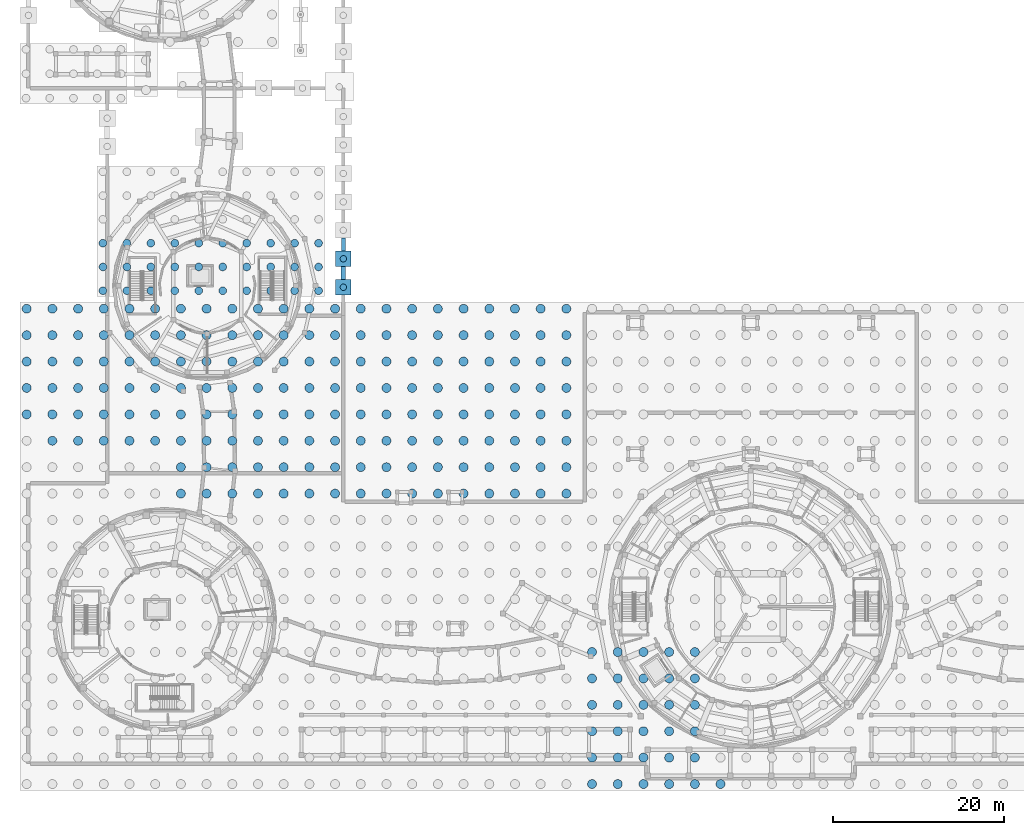
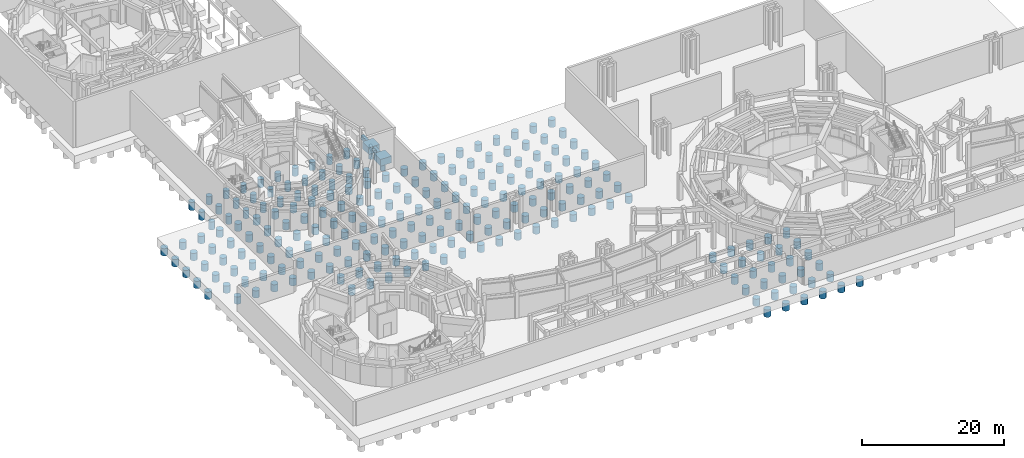
# One storey, part 2 of 57: 226 piles, 4 footings.
"""IFC4 building model written with IfcOpenShell, lengths in metres."""

from ifc_helpers import new_model, si_unit, direction, frame, origin, origin_2d, place, context, subcontext, project, spatial, rectangle, circle, extrude, material, material_profile, profile_set, type_object, element, save


model = new_model("IFC4")

# Units and contexts
model_context = context("Model", 3, precision=1e-05, world=origin(), true_north=direction((0.0, 1.0)))
body_context = subcontext(model_context, "Body", "Model", "MODEL_VIEW")
ifc_project = project(units=[si_unit("LENGTHUNIT", "METRE"), si_unit("AREAUNIT", "SQUARE_METRE"), si_unit("VOLUMEUNIT", "CUBIC_METRE"), si_unit("PLANEANGLEUNIT", "RADIAN"), si_unit("MASSUNIT", "GRAM", prefix="KILO")], contexts=[model_context])

# Site, building, storey
site_placement = place(None, origin())
site = spatial("IfcSite", under=ifc_project, at=site_placement, CompositionType="ELEMENT")
building_placement = place(site_placement, origin())
building = spatial("IfcBuilding", under=site, at=building_placement, Name="Aldenvaro Health Centre", CompositionType="ELEMENT")
storey_placement = place(building_placement, frame((0.0, 0.0, -4.550048828125)))
storey = spatial("IfcBuildingStorey", under=building, at=storey_placement, Name="B1", CompositionType="ELEMENT", Elevation=-4.550048828125)

# Footings
ifc_material = material(Name="Concrete f'c 40 MPa", Category="concrete")
ifc_material_profile_1 = material_profile(ifc_material, rectangle(XDim=0.449951171875, YDim=0.699951171875, at=origin_2d()), Name="GB 450x700", Category="concrete")
ifc_profile_set_1 = profile_set([ifc_material_profile_1], Name="Concrete f'c 40 MPa")
footing_type_1 = type_object("IfcFootingType", Name="FTG-GB-450x700", PredefinedType="FOOTING_BEAM", material=ifc_profile_set_1)
footing_1_placement = place(storey_placement, frame((39.39990234375, 61.550048828125, -0.39990234375), z_axis=(0.0, 1.0, 0.0), x_axis=(-1.0, 0.0, 0.0)))
element("IfcFooting", 1, at=footing_1_placement, inside=storey, type_object=footing_type_1, Name="Foundation Tie Beam GB-09", PredefinedType="FOOTING_BEAM", context=body_context, shape_type="SweptSolid", body=[
    extrude(rectangle(XDim=0.449951171875, YDim=0.699951171875, at=origin_2d()), origin(), (0.0, 0.0, 1.0), 1.52490234375),
])
ifc_material_profile_2 = material_profile(ifc_material, rectangle(XDim=0.5, YDim=0.75, at=origin_2d()), Name="GB 500x750", Category="concrete")
ifc_profile_set_2 = profile_set([ifc_material_profile_2], Name="Concrete f'c 40 MPa")
footing_type_2 = type_object("IfcFootingType", Name="FTG-GB-500x750", PredefinedType="FOOTING_BEAM", material=ifc_profile_set_2)
footing_2_placement = place(storey_placement, frame((39.39990234375, 58.22509765625, -0.425048828125), z_axis=(0.0, 1.0, 0.0), x_axis=(-1.0, 0.0, 0.0)))
element("IfcFooting", 2, at=footing_2_placement, inside=storey, type_object=footing_type_2, Name="Foundation Tie Beam GB-08", PredefinedType="FOOTING_BEAM", context=body_context, shape_type="SweptSolid", body=[
    extrude(rectangle(XDim=0.5, YDim=0.75, at=origin_2d()), origin(), (0.0, 0.0, 1.0), 1.52490234375),
])
footing_type_3 = type_object("IfcFootingType", Name="FTG-PC-180x180x115", PredefinedType="PILE_CAP", material=ifc_material)
for number, where, z_axis, x_axis, name in (
    (3, (39.39990234375, 57.324951171875, -1.14990234375), (0.0, 0.0, 1.0), (1.0, 0.0, 0.0), "Pile Cap PC-24 #073"),
    (4, (39.39990234375, 60.64990234375, -1.14990234375), (0.0, 0.0, 1.0), (1.0, 0.0, 0.0), "Pile Cap PC-24 #074"),
):
    element("IfcFooting", number, at=place(storey_placement, frame(where, z_axis=z_axis, x_axis=x_axis)), inside=storey, type_object=footing_type_3, Name=name, PredefinedType="PILE_CAP", context=body_context, shape_type="SweptSolid", body=[
        extrude(rectangle(XDim=1.800048828125, YDim=1.800048828125, at=origin_2d()), origin(), (0.0, 0.0, 1.0), 1.14990234375),
    ])

# Piles
ifc_material_profile_3 = material_profile(ifc_material, circle(Radius=0.52490234375, at=origin_2d()), Name="PILE D1050", Category="concrete")
ifc_profile_set_3 = profile_set([ifc_material_profile_3], Name="Concrete f'c 40 MPa")
pile_type_1 = type_object("IfcPileType", Name="PILE-D1050", PredefinedType="BORED", material=ifc_profile_set_3)
for number, where, z_axis, x_axis, name in (
    (5, (2.39306640625, 42.468994140625, -1.349853515625), (0.0, 0.0, -1.0), (1.0, 0.0, 0.0), "Bored Pile BP-03 #0015"),
    (6, (2.39306640625, 45.554931640625, -1.349853515625), (0.0, 0.0, -1.0), (1.0, 0.0, 0.0), "Bored Pile BP-03 #0016"),
    (7, (2.39306640625, 48.64111328125, -1.349853515625), (0.0, 0.0, -1.0), (1.0, 0.0, 0.0), "Bored Pile BP-03 #0017"),
    (8, (2.39306640625, 51.72705078125, -1.349853515625), (0.0, 0.0, -1.0), (1.0, 0.0, 0.0), "Bored Pile BP-03 #0018"),
    (9, (2.39306640625, 54.81298828125, -1.349853515625), (0.0, 0.0, -1.0), (1.0, 0.0, 0.0), "Bored Pile BP-03 #0019"),
    (10, (5.39599609375, 39.382080078125, -1.349853515625), (0.0, 0.0, -1.0), (1.0, 0.0, 0.0), "Bored Pile BP-03 #0033"),
    (11, (5.39599609375, 42.468994140625, -1.349853515625), (0.0, 0.0, -1.0), (1.0, 0.0, 0.0), "Bored Pile BP-03 #0034"),
    (12, (5.39599609375, 45.554931640625, -1.349853515625), (0.0, 0.0, -1.0), (1.0, 0.0, 0.0), "Bored Pile BP-03 #0035"),
    (13, (5.39599609375, 48.64111328125, -1.349853515625), (0.0, 0.0, -1.0), (1.0, 0.0, 0.0), "Bored Pile BP-03 #0036"),
    (14, (5.39599609375, 51.72705078125, -1.349853515625), (0.0, 0.0, -1.0), (1.0, 0.0, 0.0), "Bored Pile BP-03 #0037"),
    (15, (5.39599609375, 54.81298828125, -1.349853515625), (0.0, 0.0, -1.0), (1.0, 0.0, 0.0), "Bored Pile BP-03 #0038"),
    (16, (8.39990234375, 39.382080078125, -1.349853515625), (0.0, 0.0, -1.0), (1.0, 0.0, 0.0), "Bored Pile BP-03 #0052"),
    (17, (8.39990234375, 42.468994140625, -1.349853515625), (0.0, 0.0, -1.0), (1.0, 0.0, 0.0), "Bored Pile BP-03 #0053"),
    (18, (8.39990234375, 45.554931640625, -1.349853515625), (0.0, 0.0, -1.0), (1.0, 0.0, 0.0), "Bored Pile BP-03 #0054"),
    (19, (8.39990234375, 48.64111328125, -1.349853515625), (0.0, 0.0, -1.0), (1.0, 0.0, 0.0), "Bored Pile BP-03 #0055"),
    (20, (8.39990234375, 51.72705078125, -1.349853515625), (0.0, 0.0, -1.0), (1.0, 0.0, 0.0), "Bored Pile BP-03 #0056"),
    (21, (8.39990234375, 54.81298828125, -1.349853515625), (0.0, 0.0, -1.0), (1.0, 0.0, 0.0), "Bored Pile BP-03 #0057"),
    (22, (11.403076171875, 39.382080078125, -1.349853515625), (0.0, 0.0, -1.0), (1.0, 0.0, 0.0), "Bored Pile BP-03 #0071"),
    (23, (11.403076171875, 42.468994140625, -1.349853515625), (0.0, 0.0, -1.0), (1.0, 0.0, 0.0), "Bored Pile BP-03 #0072"),
    (24, (11.403076171875, 45.554931640625, -1.349853515625), (0.0, 0.0, -1.0), (1.0, 0.0, 0.0), "Bored Pile BP-03 #0073"),
    (25, (11.403076171875, 48.64111328125, -1.349853515625), (0.0, 0.0, -1.0), (1.0, 0.0, 0.0), "Bored Pile BP-03 #0074"),
    (26, (11.403076171875, 51.72705078125, -1.349853515625), (0.0, 0.0, -1.0), (1.0, 0.0, 0.0), "Bored Pile BP-03 #0075"),
    (27, (11.403076171875, 54.81298828125, -1.349853515625), (0.0, 0.0, -1.0), (1.0, 0.0, 0.0), "Bored Pile BP-03 #0076"),
    (28, (14.406982421875, 39.382080078125, -1.349853515625), (0.0, 0.0, -1.0), (1.0, 0.0, 0.0), "Bored Pile BP-03 #0090"),
    (29, (14.406982421875, 42.468994140625, -1.349853515625), (0.0, 0.0, -1.0), (1.0, 0.0, 0.0), "Bored Pile BP-03 #0091"),
    (30, (14.406982421875, 45.554931640625, -1.349853515625), (0.0, 0.0, -1.0), (1.0, 0.0, 0.0), "Bored Pile BP-03 #0092"),
    (31, (14.406982421875, 48.64111328125, -1.349853515625), (0.0, 0.0, -1.0), (1.0, 0.0, 0.0), "Bored Pile BP-03 #0093"),
    (32, (14.406982421875, 51.72705078125, -1.349853515625), (0.0, 0.0, -1.0), (1.0, 0.0, 0.0), "Bored Pile BP-03 #0094"),
    (33, (14.406982421875, 54.81298828125, -1.349853515625), (0.0, 0.0, -1.0), (1.0, 0.0, 0.0), "Bored Pile BP-03 #0095"),
    (34, (17.409912109375, 39.382080078125, -1.349853515625), (0.0, 0.0, -1.0), (1.0, 0.0, 0.0), "Bored Pile BP-03 #0109"),
    (35, (17.409912109375, 42.468994140625, -1.349853515625), (0.0, 0.0, -1.0), (1.0, 0.0, 0.0), "Bored Pile BP-03 #0110"),
    (36, (17.409912109375, 45.554931640625, -1.349853515625), (0.0, 0.0, -1.0), (1.0, 0.0, 0.0), "Bored Pile BP-03 #0111"),
    (37, (17.409912109375, 48.64111328125, -1.349853515625), (0.0, 0.0, -1.0), (1.0, 0.0, 0.0), "Bored Pile BP-03 #0112"),
    (38, (17.409912109375, 51.72705078125, -1.349853515625), (0.0, 0.0, -1.0), (1.0, 0.0, 0.0), "Bored Pile BP-03 #0113"),
    (39, (17.409912109375, 54.81298828125, -1.349853515625), (0.0, 0.0, -1.0), (1.0, 0.0, 0.0), "Bored Pile BP-03 #0114"),
    (40, (20.4140625, 33.2099609375, -1.349853515625), (0.0, 0.0, -1.0), (1.0, 0.0, 0.0), "Bored Pile BP-03 #0126"),
    (41, (20.4140625, 36.2958984375, -1.349853515625), (0.0, 0.0, -1.0), (1.0, 0.0, 0.0), "Bored Pile BP-03 #0127"),
    (42, (20.4140625, 39.382080078125, -1.349853515625), (0.0, 0.0, -1.0), (1.0, 0.0, 0.0), "Bored Pile BP-03 #0128"),
    (43, (20.4140625, 42.468994140625, -1.349853515625), (0.0, 0.0, -1.0), (1.0, 0.0, 0.0), "Bored Pile BP-03 #0129"),
    (44, (20.4140625, 45.554931640625, -1.349853515625), (0.0, 0.0, -1.0), (1.0, 0.0, 0.0), "Bored Pile BP-03 #0130"),
    (45, (20.4140625, 48.64111328125, -1.349853515625), (0.0, 0.0, -1.0), (1.0, 0.0, 0.0), "Bored Pile BP-03 #0131"),
    (46, (20.4140625, 51.72705078125, -1.349853515625), (0.0, 0.0, -1.0), (1.0, 0.0, 0.0), "Bored Pile BP-03 #0132"),
    (47, (20.4140625, 54.81298828125, -1.349853515625), (0.0, 0.0, -1.0), (1.0, 0.0, 0.0), "Bored Pile BP-03 #0133"),
    (48, (23.4169921875, 33.2099609375, -1.349853515625), (0.0, 0.0, -1.0), (1.0, 0.0, 0.0), "Bored Pile BP-03 #0145"),
    (49, (23.4169921875, 36.2958984375, -1.349853515625), (0.0, 0.0, -1.0), (1.0, 0.0, 0.0), "Bored Pile BP-03 #0146"),
    (50, (23.4169921875, 39.382080078125, -1.349853515625), (0.0, 0.0, -1.0), (1.0, 0.0, 0.0), "Bored Pile BP-03 #0147"),
    (51, (23.4169921875, 42.468994140625, -1.349853515625), (0.0, 0.0, -1.0), (1.0, 0.0, 0.0), "Bored Pile BP-03 #0148"),
    (52, (23.4169921875, 45.554931640625, -1.349853515625), (0.0, 0.0, -1.0), (1.0, 0.0, 0.0), "Bored Pile BP-03 #0149"),
    (53, (23.4169921875, 48.64111328125, -1.349853515625), (0.0, 0.0, -1.0), (1.0, 0.0, 0.0), "Bored Pile BP-03 #0150"),
    (54, (23.4169921875, 51.72705078125, -1.349853515625), (0.0, 0.0, -1.0), (1.0, 0.0, 0.0), "Bored Pile BP-03 #0151"),
    (55, (23.4169921875, 54.81298828125, -1.349853515625), (0.0, 0.0, -1.0), (1.0, 0.0, 0.0), "Bored Pile BP-03 #0152"),
    (56, (26.4208984375, 33.2099609375, -1.349853515625), (0.0, 0.0, -1.0), (1.0, 0.0, 0.0), "Bored Pile BP-03 #0164"),
    (57, (26.4208984375, 36.2958984375, -1.349853515625), (0.0, 0.0, -1.0), (1.0, 0.0, 0.0), "Bored Pile BP-03 #0165"),
    (58, (26.4208984375, 39.382080078125, -1.349853515625), (0.0, 0.0, -1.0), (1.0, 0.0, 0.0), "Bored Pile BP-03 #0166"),
    (59, (26.4208984375, 42.468994140625, -1.349853515625), (0.0, 0.0, -1.0), (1.0, 0.0, 0.0), "Bored Pile BP-03 #0167"),
    (60, (26.4208984375, 45.554931640625, -1.349853515625), (0.0, 0.0, -1.0), (1.0, 0.0, 0.0), "Bored Pile BP-03 #0168"),
    (61, (26.4208984375, 48.64111328125, -1.349853515625), (0.0, 0.0, -1.0), (1.0, 0.0, 0.0), "Bored Pile BP-03 #0169"),
    (62, (26.4208984375, 51.72705078125, -1.349853515625), (0.0, 0.0, -1.0), (1.0, 0.0, 0.0), "Bored Pile BP-03 #0170"),
    (63, (26.4208984375, 54.81298828125, -1.349853515625), (0.0, 0.0, -1.0), (1.0, 0.0, 0.0), "Bored Pile BP-03 #0171"),
    (64, (29.424072265625, 33.2099609375, -1.349853515625), (0.0, 0.0, -1.0), (1.0, 0.0, 0.0), "Bored Pile BP-03 #0183"),
    (65, (29.424072265625, 36.2958984375, -1.349853515625), (0.0, 0.0, -1.0), (1.0, 0.0, 0.0), "Bored Pile BP-03 #0184"),
    (66, (29.424072265625, 39.382080078125, -1.349853515625), (0.0, 0.0, -1.0), (1.0, 0.0, 0.0), "Bored Pile BP-03 #0185"),
    (67, (29.424072265625, 42.468994140625, -1.349853515625), (0.0, 0.0, -1.0), (1.0, 0.0, 0.0), "Bored Pile BP-03 #0186"),
    (68, (29.424072265625, 45.554931640625, -1.349853515625), (0.0, 0.0, -1.0), (1.0, 0.0, 0.0), "Bored Pile BP-03 #0187"),
    (69, (29.424072265625, 48.64111328125, -1.349853515625), (0.0, 0.0, -1.0), (1.0, 0.0, 0.0), "Bored Pile BP-03 #0188"),
    (70, (29.424072265625, 51.72705078125, -1.349853515625), (0.0, 0.0, -1.0), (1.0, 0.0, 0.0), "Bored Pile BP-03 #0189"),
    (71, (29.424072265625, 54.81298828125, -1.349853515625), (0.0, 0.0, -1.0), (1.0, 0.0, 0.0), "Bored Pile BP-03 #0190"),
    (72, (32.427978515625, 33.2099609375, -1.349853515625), (0.0, 0.0, -1.0), (1.0, 0.0, 0.0), "Bored Pile BP-03 #0202"),
    (73, (32.427978515625, 36.2958984375, -1.349853515625), (0.0, 0.0, -1.0), (1.0, 0.0, 0.0), "Bored Pile BP-03 #0203"),
    (74, (32.427978515625, 39.382080078125, -1.349853515625), (0.0, 0.0, -1.0), (1.0, 0.0, 0.0), "Bored Pile BP-03 #0204"),
    (75, (32.427978515625, 42.468994140625, -1.349853515625), (0.0, 0.0, -1.0), (1.0, 0.0, 0.0), "Bored Pile BP-03 #0205"),
    (76, (32.427978515625, 45.554931640625, -1.349853515625), (0.0, 0.0, -1.0), (1.0, 0.0, 0.0), "Bored Pile BP-03 #0206"),
    (77, (32.427978515625, 48.64111328125, -1.349853515625), (0.0, 0.0, -1.0), (1.0, 0.0, 0.0), "Bored Pile BP-03 #0207"),
    (78, (32.427978515625, 51.72705078125, -1.349853515625), (0.0, 0.0, -1.0), (1.0, 0.0, 0.0), "Bored Pile BP-03 #0208"),
    (79, (32.427978515625, 54.81298828125, -1.349853515625), (0.0, 0.0, -1.0), (1.0, 0.0, 0.0), "Bored Pile BP-03 #0209"),
    (80, (35.430908203125, 33.2099609375, -1.349853515625), (0.0, 0.0, -1.0), (1.0, 0.0, 0.0), "Bored Pile BP-03 #0221"),
    (81, (35.430908203125, 36.2958984375, -1.349853515625), (0.0, 0.0, -1.0), (1.0, 0.0, 0.0), "Bored Pile BP-03 #0222"),
    (82, (35.430908203125, 39.382080078125, -1.349853515625), (0.0, 0.0, -1.0), (1.0, 0.0, 0.0), "Bored Pile BP-03 #0223"),
    (83, (35.430908203125, 42.468994140625, -1.349853515625), (0.0, 0.0, -1.0), (1.0, 0.0, 0.0), "Bored Pile BP-03 #0224"),
    (84, (35.430908203125, 45.554931640625, -1.349853515625), (0.0, 0.0, -1.0), (1.0, 0.0, 0.0), "Bored Pile BP-03 #0225"),
    (85, (35.430908203125, 48.64111328125, -1.349853515625), (0.0, 0.0, -1.0), (1.0, 0.0, 0.0), "Bored Pile BP-03 #0226"),
    (86, (35.430908203125, 51.72705078125, -1.349853515625), (0.0, 0.0, -1.0), (1.0, 0.0, 0.0), "Bored Pile BP-03 #0227"),
    (87, (35.430908203125, 54.81298828125, -1.349853515625), (0.0, 0.0, -1.0), (1.0, 0.0, 0.0), "Bored Pile BP-03 #0228"),
    (88, (38.43505859375, 33.2099609375, -1.349853515625), (0.0, 0.0, -1.0), (1.0, 0.0, 0.0), "Bored Pile BP-03 #0240"),
    (89, (38.43505859375, 36.2958984375, -1.349853515625), (0.0, 0.0, -1.0), (1.0, 0.0, 0.0), "Bored Pile BP-03 #0241"),
    (90, (38.43505859375, 39.382080078125, -1.349853515625), (0.0, 0.0, -1.0), (1.0, 0.0, 0.0), "Bored Pile BP-03 #0242"),
    (91, (38.43505859375, 42.468994140625, -1.349853515625), (0.0, 0.0, -1.0), (1.0, 0.0, 0.0), "Bored Pile BP-03 #0243"),
    (92, (38.43505859375, 45.554931640625, -1.349853515625), (0.0, 0.0, -1.0), (1.0, 0.0, 0.0), "Bored Pile BP-03 #0244"),
    (93, (38.43505859375, 48.64111328125, -1.349853515625), (0.0, 0.0, -1.0), (1.0, 0.0, 0.0), "Bored Pile BP-03 #0245"),
    (94, (38.43505859375, 51.72705078125, -1.349853515625), (0.0, 0.0, -1.0), (1.0, 0.0, 0.0), "Bored Pile BP-03 #0246"),
    (95, (38.43505859375, 54.81298828125, -1.349853515625), (0.0, 0.0, -1.0), (1.0, 0.0, 0.0), "Bored Pile BP-03 #0247"),
    (96, (41.43798828125, 33.2099609375, -1.349853515625), (0.0, 0.0, -1.0), (1.0, 0.0, 0.0), "Bored Pile BP-03 #0259"),
    (97, (41.43798828125, 36.2958984375, -1.349853515625), (0.0, 0.0, -1.0), (1.0, 0.0, 0.0), "Bored Pile BP-03 #0260"),
    (98, (41.43798828125, 39.382080078125, -1.349853515625), (0.0, 0.0, -1.0), (1.0, 0.0, 0.0), "Bored Pile BP-03 #0261"),
    (99, (41.43798828125, 42.468994140625, -1.349853515625), (0.0, 0.0, -1.0), (1.0, 0.0, 0.0), "Bored Pile BP-03 #0262"),
    (100, (41.43798828125, 45.554931640625, -1.349853515625), (0.0, 0.0, -1.0), (1.0, 0.0, 0.0), "Bored Pile BP-03 #0263"),
    (101, (41.43798828125, 48.64111328125, -1.349853515625), (0.0, 0.0, -1.0), (1.0, 0.0, 0.0), "Bored Pile BP-03 #0264"),
    (102, (41.43798828125, 51.72705078125, -1.349853515625), (0.0, 0.0, -1.0), (1.0, 0.0, 0.0), "Bored Pile BP-03 #0265"),
    (103, (41.43798828125, 54.81298828125, -1.349853515625), (0.0, 0.0, -1.0), (1.0, 0.0, 0.0), "Bored Pile BP-03 #0266"),
    (104, (44.44189453125, 33.2099609375, -1.349853515625), (0.0, 0.0, -1.0), (1.0, 0.0, 0.0), "Bored Pile BP-03 #0278"),
    (105, (44.44189453125, 36.2958984375, -1.349853515625), (0.0, 0.0, -1.0), (1.0, 0.0, 0.0), "Bored Pile BP-03 #0279"),
    (106, (44.44189453125, 39.382080078125, -1.349853515625), (0.0, 0.0, -1.0), (1.0, 0.0, 0.0), "Bored Pile BP-03 #0280"),
    (107, (44.44189453125, 42.468994140625, -1.349853515625), (0.0, 0.0, -1.0), (1.0, 0.0, 0.0), "Bored Pile BP-03 #0281"),
    (108, (44.44189453125, 45.554931640625, -1.349853515625), (0.0, 0.0, -1.0), (1.0, 0.0, 0.0), "Bored Pile BP-03 #0282"),
    (109, (44.44189453125, 48.64111328125, -1.349853515625), (0.0, 0.0, -1.0), (1.0, 0.0, 0.0), "Bored Pile BP-03 #0283"),
    (110, (44.44189453125, 51.72705078125, -1.349853515625), (0.0, 0.0, -1.0), (1.0, 0.0, 0.0), "Bored Pile BP-03 #0284"),
    (111, (44.44189453125, 54.81298828125, -1.349853515625), (0.0, 0.0, -1.0), (1.0, 0.0, 0.0), "Bored Pile BP-03 #0285"),
    (112, (47.445068359375, 33.2099609375, -1.349853515625), (0.0, 0.0, -1.0), (1.0, 0.0, 0.0), "Bored Pile BP-03 #0297"),
    (113, (47.445068359375, 36.2958984375, -1.349853515625), (0.0, 0.0, -1.0), (1.0, 0.0, 0.0), "Bored Pile BP-03 #0298"),
    (114, (47.445068359375, 39.382080078125, -1.349853515625), (0.0, 0.0, -1.0), (1.0, 0.0, 0.0), "Bored Pile BP-03 #0299"),
    (115, (47.445068359375, 42.468994140625, -1.349853515625), (0.0, 0.0, -1.0), (1.0, 0.0, 0.0), "Bored Pile BP-03 #0300"),
    (116, (47.445068359375, 45.554931640625, -1.349853515625), (0.0, 0.0, -1.0), (1.0, 0.0, 0.0), "Bored Pile BP-03 #0301"),
    (117, (47.445068359375, 48.64111328125, -1.349853515625), (0.0, 0.0, -1.0), (1.0, 0.0, 0.0), "Bored Pile BP-03 #0302"),
    (118, (47.445068359375, 51.72705078125, -1.349853515625), (0.0, 0.0, -1.0), (1.0, 0.0, 0.0), "Bored Pile BP-03 #0303"),
    (119, (47.445068359375, 54.81298828125, -1.349853515625), (0.0, 0.0, -1.0), (1.0, 0.0, 0.0), "Bored Pile BP-03 #0304"),
    (120, (50.448974609375, 33.2099609375, -1.349853515625), (0.0, 0.0, -1.0), (1.0, 0.0, 0.0), "Bored Pile BP-03 #0316"),
    (121, (50.448974609375, 36.2958984375, -1.349853515625), (0.0, 0.0, -1.0), (1.0, 0.0, 0.0), "Bored Pile BP-03 #0317"),
    (122, (50.448974609375, 39.382080078125, -1.349853515625), (0.0, 0.0, -1.0), (1.0, 0.0, 0.0), "Bored Pile BP-03 #0318"),
    (123, (50.448974609375, 42.468994140625, -1.349853515625), (0.0, 0.0, -1.0), (1.0, 0.0, 0.0), "Bored Pile BP-03 #0319"),
    (124, (50.448974609375, 45.554931640625, -1.349853515625), (0.0, 0.0, -1.0), (1.0, 0.0, 0.0), "Bored Pile BP-03 #0320"),
    (125, (50.448974609375, 48.64111328125, -1.349853515625), (0.0, 0.0, -1.0), (1.0, 0.0, 0.0), "Bored Pile BP-03 #0321"),
    (126, (50.448974609375, 51.72705078125, -1.349853515625), (0.0, 0.0, -1.0), (1.0, 0.0, 0.0), "Bored Pile BP-03 #0322"),
    (127, (50.448974609375, 54.81298828125, -1.349853515625), (0.0, 0.0, -1.0), (1.0, 0.0, 0.0), "Bored Pile BP-03 #0323"),
    (128, (53.451904296875, 33.2099609375, -1.349853515625), (0.0, 0.0, -1.0), (1.0, 0.0, 0.0), "Bored Pile BP-03 #0335"),
    (129, (53.451904296875, 36.2958984375, -1.349853515625), (0.0, 0.0, -1.0), (1.0, 0.0, 0.0), "Bored Pile BP-03 #0336"),
    (130, (53.451904296875, 39.382080078125, -1.349853515625), (0.0, 0.0, -1.0), (1.0, 0.0, 0.0), "Bored Pile BP-03 #0337"),
    (131, (53.451904296875, 42.468994140625, -1.349853515625), (0.0, 0.0, -1.0), (1.0, 0.0, 0.0), "Bored Pile BP-03 #0338"),
    (132, (53.451904296875, 45.554931640625, -1.349853515625), (0.0, 0.0, -1.0), (1.0, 0.0, 0.0), "Bored Pile BP-03 #0339"),
    (133, (53.451904296875, 48.64111328125, -1.349853515625), (0.0, 0.0, -1.0), (1.0, 0.0, 0.0), "Bored Pile BP-03 #0340"),
    (134, (53.451904296875, 51.72705078125, -1.349853515625), (0.0, 0.0, -1.0), (1.0, 0.0, 0.0), "Bored Pile BP-03 #0341"),
    (135, (53.451904296875, 54.81298828125, -1.349853515625), (0.0, 0.0, -1.0), (1.0, 0.0, 0.0), "Bored Pile BP-03 #0342"),
    (136, (56.4560546875, 33.2099609375, -1.349853515625), (0.0, 0.0, -1.0), (1.0, 0.0, 0.0), "Bored Pile BP-03 #0354"),
    (137, (56.4560546875, 36.2958984375, -1.349853515625), (0.0, 0.0, -1.0), (1.0, 0.0, 0.0), "Bored Pile BP-03 #0355"),
    (138, (56.4560546875, 39.382080078125, -1.349853515625), (0.0, 0.0, -1.0), (1.0, 0.0, 0.0), "Bored Pile BP-03 #0356"),
    (139, (56.4560546875, 42.468994140625, -1.349853515625), (0.0, 0.0, -1.0), (1.0, 0.0, 0.0), "Bored Pile BP-03 #0357"),
    (140, (56.4560546875, 45.554931640625, -1.349853515625), (0.0, 0.0, -1.0), (1.0, 0.0, 0.0), "Bored Pile BP-03 #0358"),
    (141, (56.4560546875, 48.64111328125, -1.349853515625), (0.0, 0.0, -1.0), (1.0, 0.0, 0.0), "Bored Pile BP-03 #0359"),
    (142, (56.4560546875, 51.72705078125, -1.349853515625), (0.0, 0.0, -1.0), (1.0, 0.0, 0.0), "Bored Pile BP-03 #0360"),
    (143, (56.4560546875, 54.81298828125, -1.349853515625), (0.0, 0.0, -1.0), (1.0, 0.0, 0.0), "Bored Pile BP-03 #0361"),
    (144, (59.458984375, 33.2099609375, -1.349853515625), (0.0, 0.0, -1.0), (1.0, 0.0, 0.0), "Bored Pile BP-03 #0373"),
    (145, (59.458984375, 36.2958984375, -1.349853515625), (0.0, 0.0, -1.0), (1.0, 0.0, 0.0), "Bored Pile BP-03 #0374"),
    (146, (59.458984375, 39.382080078125, -1.349853515625), (0.0, 0.0, -1.0), (1.0, 0.0, 0.0), "Bored Pile BP-03 #0375"),
    (147, (59.458984375, 42.468994140625, -1.349853515625), (0.0, 0.0, -1.0), (1.0, 0.0, 0.0), "Bored Pile BP-03 #0376"),
    (148, (59.458984375, 45.554931640625, -1.349853515625), (0.0, 0.0, -1.0), (1.0, 0.0, 0.0), "Bored Pile BP-03 #0377"),
    (149, (59.458984375, 48.64111328125, -1.349853515625), (0.0, 0.0, -1.0), (1.0, 0.0, 0.0), "Bored Pile BP-03 #0378"),
    (150, (59.458984375, 51.72705078125, -1.349853515625), (0.0, 0.0, -1.0), (1.0, 0.0, 0.0), "Bored Pile BP-03 #0379"),
    (151, (59.458984375, 54.81298828125, -1.349853515625), (0.0, 0.0, -1.0), (1.0, 0.0, 0.0), "Bored Pile BP-03 #0380"),
    (152, (62.462890625, 33.2099609375, -1.349853515625), (0.0, 0.0, -1.0), (1.0, 0.0, 0.0), "Bored Pile BP-03 #0392"),
    (153, (62.462890625, 36.2958984375, -1.349853515625), (0.0, 0.0, -1.0), (1.0, 0.0, 0.0), "Bored Pile BP-03 #0393"),
    (154, (62.462890625, 39.382080078125, -1.349853515625), (0.0, 0.0, -1.0), (1.0, 0.0, 0.0), "Bored Pile BP-03 #0394"),
    (155, (62.462890625, 42.468994140625, -1.349853515625), (0.0, 0.0, -1.0), (1.0, 0.0, 0.0), "Bored Pile BP-03 #0395"),
    (156, (62.462890625, 45.554931640625, -1.349853515625), (0.0, 0.0, -1.0), (1.0, 0.0, 0.0), "Bored Pile BP-03 #0396"),
    (157, (62.462890625, 48.64111328125, -1.349853515625), (0.0, 0.0, -1.0), (1.0, 0.0, 0.0), "Bored Pile BP-03 #0397"),
    (158, (62.462890625, 51.72705078125, -1.349853515625), (0.0, 0.0, -1.0), (1.0, 0.0, 0.0), "Bored Pile BP-03 #0398"),
    (159, (62.462890625, 54.81298828125, -1.349853515625), (0.0, 0.0, -1.0), (1.0, 0.0, 0.0), "Bored Pile BP-03 #0399"),
    (160, (65.466064453125, 33.2099609375, -1.349853515625), (0.0, 0.0, -1.0), (1.0, 0.0, 0.0), "Bored Pile BP-03 #0411"),
    (161, (65.466064453125, 36.2958984375, -1.349853515625), (0.0, 0.0, -1.0), (1.0, 0.0, 0.0), "Bored Pile BP-03 #0412"),
    (162, (65.466064453125, 39.382080078125, -1.349853515625), (0.0, 0.0, -1.0), (1.0, 0.0, 0.0), "Bored Pile BP-03 #0413"),
    (163, (65.466064453125, 42.468994140625, -1.349853515625), (0.0, 0.0, -1.0), (1.0, 0.0, 0.0), "Bored Pile BP-03 #0414"),
    (164, (65.466064453125, 45.554931640625, -1.349853515625), (0.0, 0.0, -1.0), (1.0, 0.0, 0.0), "Bored Pile BP-03 #0415"),
    (165, (65.466064453125, 48.64111328125, -1.349853515625), (0.0, 0.0, -1.0), (1.0, 0.0, 0.0), "Bored Pile BP-03 #0416"),
    (166, (65.466064453125, 51.72705078125, -1.349853515625), (0.0, 0.0, -1.0), (1.0, 0.0, 0.0), "Bored Pile BP-03 #0417"),
    (167, (65.466064453125, 54.81298828125, -1.349853515625), (0.0, 0.0, -1.0), (1.0, 0.0, 0.0), "Bored Pile BP-03 #0418"),
    (168, (68.469970703125, -0.737060546875, -1.349853515625), (0.0, 0.0, -1.0), (1.0, 0.0, 0.0), "Bored Pile BP-03 #0419"),
    (169, (68.469970703125, 2.34912109375, -1.349853515625), (0.0, 0.0, -1.0), (1.0, 0.0, 0.0), "Bored Pile BP-03 #0420"),
    (170, (68.469970703125, 5.43505859375, -1.349853515625), (0.0, 0.0, -1.0), (1.0, 0.0, 0.0), "Bored Pile BP-03 #0421"),
    (171, (68.469970703125, 8.52099609375, -1.349853515625), (0.0, 0.0, -1.0), (1.0, 0.0, 0.0), "Bored Pile BP-03 #0422"),
    (172, (68.469970703125, 11.60693359375, -1.349853515625), (0.0, 0.0, -1.0), (1.0, 0.0, 0.0), "Bored Pile BP-03 #0423"),
    (173, (68.469970703125, 14.694091796875, -1.349853515625), (0.0, 0.0, -1.0), (1.0, 0.0, 0.0), "Bored Pile BP-03 #0424"),
    (174, (71.472900390625, -0.737060546875, -1.349853515625), (0.0, 0.0, -1.0), (1.0, 0.0, 0.0), "Bored Pile BP-03 #0438"),
    (175, (71.472900390625, 2.34912109375, -1.349853515625), (0.0, 0.0, -1.0), (1.0, 0.0, 0.0), "Bored Pile BP-03 #0439"),
    (176, (71.472900390625, 5.43505859375, -1.349853515625), (0.0, 0.0, -1.0), (1.0, 0.0, 0.0), "Bored Pile BP-03 #0440"),
    (177, (71.472900390625, 8.52099609375, -1.349853515625), (0.0, 0.0, -1.0), (1.0, 0.0, 0.0), "Bored Pile BP-03 #0441"),
    (178, (71.472900390625, 11.60693359375, -1.349853515625), (0.0, 0.0, -1.0), (1.0, 0.0, 0.0), "Bored Pile BP-03 #0442"),
    (179, (71.472900390625, 14.694091796875, -1.349853515625), (0.0, 0.0, -1.0), (1.0, 0.0, 0.0), "Bored Pile BP-03 #0443"),
    (180, (74.47705078125, -0.737060546875, -1.349853515625), (0.0, 0.0, -1.0), (1.0, 0.0, 0.0), "Bored Pile BP-03 #0457"),
    (181, (74.47705078125, 2.34912109375, -1.349853515625), (0.0, 0.0, -1.0), (1.0, 0.0, 0.0), "Bored Pile BP-03 #0458"),
    (182, (74.47705078125, 5.43505859375, -1.349853515625), (0.0, 0.0, -1.0), (1.0, 0.0, 0.0), "Bored Pile BP-03 #0459"),
    (183, (74.47705078125, 8.52099609375, -1.349853515625), (0.0, 0.0, -1.0), (1.0, 0.0, 0.0), "Bored Pile BP-03 #0460"),
    (184, (74.47705078125, 11.60693359375, -1.349853515625), (0.0, 0.0, -1.0), (1.0, 0.0, 0.0), "Bored Pile BP-03 #0461"),
    (185, (74.47705078125, 14.694091796875, -1.349853515625), (0.0, 0.0, -1.0), (1.0, 0.0, 0.0), "Bored Pile BP-03 #0462"),
    (186, (77.47998046875, -0.737060546875, -1.349853515625), (0.0, 0.0, -1.0), (1.0, 0.0, 0.0), "Bored Pile BP-03 #0476"),
    (187, (77.47998046875, 2.34912109375, -1.349853515625), (0.0, 0.0, -1.0), (1.0, 0.0, 0.0), "Bored Pile BP-03 #0477"),
    (188, (77.47998046875, 5.43505859375, -1.349853515625), (0.0, 0.0, -1.0), (1.0, 0.0, 0.0), "Bored Pile BP-03 #0478"),
    (189, (77.47998046875, 8.52099609375, -1.349853515625), (0.0, 0.0, -1.0), (1.0, 0.0, 0.0), "Bored Pile BP-03 #0479"),
    (190, (77.47998046875, 11.60693359375, -1.349853515625), (0.0, 0.0, -1.0), (1.0, 0.0, 0.0), "Bored Pile BP-03 #0480"),
    (191, (77.47998046875, 14.694091796875, -1.349853515625), (0.0, 0.0, -1.0), (1.0, 0.0, 0.0), "Bored Pile BP-03 #0481"),
    (192, (80.48388671875, -0.737060546875, -1.349853515625), (0.0, 0.0, -1.0), (1.0, 0.0, 0.0), "Bored Pile BP-03 #0495"),
    (193, (80.48388671875, 2.34912109375, -1.349853515625), (0.0, 0.0, -1.0), (1.0, 0.0, 0.0), "Bored Pile BP-03 #0496"),
    (194, (80.48388671875, 5.43505859375, -1.349853515625), (0.0, 0.0, -1.0), (1.0, 0.0, 0.0), "Bored Pile BP-03 #0497"),
    (195, (80.48388671875, 8.52099609375, -1.349853515625), (0.0, 0.0, -1.0), (1.0, 0.0, 0.0), "Bored Pile BP-03 #0498"),
    (196, (80.48388671875, 11.60693359375, -1.349853515625), (0.0, 0.0, -1.0), (1.0, 0.0, 0.0), "Bored Pile BP-03 #0499"),
    (197, (80.48388671875, 14.694091796875, -1.349853515625), (0.0, 0.0, -1.0), (1.0, 0.0, 0.0), "Bored Pile BP-03 #0500"),
    (198, (83.487060546875, -0.737060546875, -1.349853515625), (0.0, 0.0, -1.0), (1.0, 0.0, 0.0), "Bored Pile BP-03 #0514"),
):
    element("IfcPile", number, at=place(storey_placement, frame(where, z_axis=z_axis, x_axis=x_axis)), inside=storey, type_object=pile_type_1, Name=name, PredefinedType="BORED", context=body_context, shape_type="SweptSolid", body=[
        extrude(circle(Radius=0.52490234375, at=origin_2d()), origin(), (0.0, 0.0, 1.0), 1.25),
    ])
ifc_material_profile_4 = material_profile(ifc_material, circle(Radius=0.375, at=origin_2d()), Name="PILE D750", Category="concrete")
ifc_profile_set_4 = profile_set([ifc_material_profile_4], Name="Concrete f'c 40 MPa")
pile_type_2 = type_object("IfcPileType", Name="PILE-D750", PredefinedType="BORED", material=ifc_profile_set_4)
for number, where, z_axis, x_axis, name in (
    (199, (39.39990234375, 57.324951171875, -1.050048828125), (0.0, 0.0, -1.0), (1.0, 0.0, 0.0), "Bored Pile BP-01 #1418"),
    (200, (39.39990234375, 60.64990234375, -1.050048828125), (0.0, 0.0, -1.0), (1.0, 0.0, 0.0), "Bored Pile BP-01 #1419"),
):
    element("IfcPile", number, at=place(storey_placement, frame(where, z_axis=z_axis, x_axis=x_axis)), inside=storey, type_object=pile_type_2, Name=name, PredefinedType="BORED", context=body_context, shape_type="SweptSolid", body=[
        extrude(circle(Radius=0.375, at=origin_2d()), origin(), (0.0, 0.0, 1.0), 1.550048828125),
    ])
ifc_material_profile_5 = material_profile(ifc_material, circle(Radius=0.449951171875, at=origin_2d()), Name="PILE D900", Category="concrete")
ifc_profile_set_5 = profile_set([ifc_material_profile_5], Name="Concrete f'c 40 MPa")
pile_type_3 = type_object("IfcPileType", Name="PILE-D900", PredefinedType="BORED", material=ifc_profile_set_5)
for number, where, z_axis, x_axis, name in (
    (201, (11.303955078125, 56.91796875, -1.199951171875), (0.0, 0.0, -1.0), (1.0, 0.0, 0.0), "Bored Pile BP-02 #1058"),
    (202, (11.303955078125, 59.697998046875, -1.199951171875), (0.0, 0.0, -1.0), (1.0, 0.0, 0.0), "Bored Pile BP-02 #1059"),
    (203, (11.303955078125, 62.47802734375, -1.199951171875), (0.0, 0.0, -1.0), (1.0, 0.0, 0.0), "Bored Pile BP-02 #1060"),
    (204, (14.10400390625, 56.91796875, -1.199951171875), (0.0, 0.0, -1.0), (1.0, 0.0, 0.0), "Bored Pile BP-02 #1064"),
    (205, (14.10400390625, 59.697998046875, -1.199951171875), (0.0, 0.0, -1.0), (1.0, 0.0, 0.0), "Bored Pile BP-02 #1065"),
    (206, (14.10400390625, 62.47802734375, -1.199951171875), (0.0, 0.0, -1.0), (1.0, 0.0, 0.0), "Bored Pile BP-02 #1066"),
    (207, (16.904052734375, 56.91796875, -1.199951171875), (0.0, 0.0, -1.0), (1.0, 0.0, 0.0), "Bored Pile BP-02 #1070"),
    (208, (16.904052734375, 59.697998046875, -1.199951171875), (0.0, 0.0, -1.0), (1.0, 0.0, 0.0), "Bored Pile BP-02 #1071"),
    (209, (16.904052734375, 62.47802734375, -1.199951171875), (0.0, 0.0, -1.0), (1.0, 0.0, 0.0), "Bored Pile BP-02 #1072"),
    (210, (19.7041015625, 56.91796875, -1.199951171875), (0.0, 0.0, -1.0), (1.0, 0.0, 0.0), "Bored Pile BP-02 #1076"),
    (211, (19.7041015625, 59.697998046875, -1.199951171875), (0.0, 0.0, -1.0), (1.0, 0.0, 0.0), "Bored Pile BP-02 #1077"),
    (212, (19.7041015625, 62.47802734375, -1.199951171875), (0.0, 0.0, -1.0), (1.0, 0.0, 0.0), "Bored Pile BP-02 #1078"),
    (213, (22.50390625, 56.91796875, -1.199951171875), (0.0, 0.0, -1.0), (1.0, 0.0, 0.0), "Bored Pile BP-02 #1082"),
    (214, (22.50390625, 59.697998046875, -1.199951171875), (0.0, 0.0, -1.0), (1.0, 0.0, 0.0), "Bored Pile BP-02 #1083"),
    (215, (22.50390625, 62.47802734375, -1.199951171875), (0.0, 0.0, -1.0), (1.0, 0.0, 0.0), "Bored Pile BP-02 #1084"),
    (216, (25.303955078125, 56.91796875, -1.199951171875), (0.0, 0.0, -1.0), (1.0, 0.0, 0.0), "Bored Pile BP-02 #1088"),
    (217, (25.303955078125, 59.697998046875, -1.199951171875), (0.0, 0.0, -1.0), (1.0, 0.0, 0.0), "Bored Pile BP-02 #1089"),
    (218, (25.303955078125, 62.47802734375, -1.199951171875), (0.0, 0.0, -1.0), (1.0, 0.0, 0.0), "Bored Pile BP-02 #1090"),
    (219, (28.10400390625, 56.91796875, -1.199951171875), (0.0, 0.0, -1.0), (1.0, 0.0, 0.0), "Bored Pile BP-02 #1094"),
    (220, (28.10400390625, 59.697998046875, -1.199951171875), (0.0, 0.0, -1.0), (1.0, 0.0, 0.0), "Bored Pile BP-02 #1095"),
    (221, (28.10400390625, 62.47802734375, -1.199951171875), (0.0, 0.0, -1.0), (1.0, 0.0, 0.0), "Bored Pile BP-02 #1096"),
    (222, (30.904052734375, 56.91796875, -1.199951171875), (0.0, 0.0, -1.0), (1.0, 0.0, 0.0), "Bored Pile BP-02 #1100"),
    (223, (30.904052734375, 59.697998046875, -1.199951171875), (0.0, 0.0, -1.0), (1.0, 0.0, 0.0), "Bored Pile BP-02 #1101"),
    (224, (30.904052734375, 62.47802734375, -1.199951171875), (0.0, 0.0, -1.0), (1.0, 0.0, 0.0), "Bored Pile BP-02 #1102"),
    (225, (33.7041015625, 56.91796875, -1.199951171875), (0.0, 0.0, -1.0), (1.0, 0.0, 0.0), "Bored Pile BP-02 #1106"),
    (226, (33.7041015625, 59.697998046875, -1.199951171875), (0.0, 0.0, -1.0), (1.0, 0.0, 0.0), "Bored Pile BP-02 #1107"),
    (227, (33.7041015625, 62.47802734375, -1.199951171875), (0.0, 0.0, -1.0), (1.0, 0.0, 0.0), "Bored Pile BP-02 #1108"),
    (228, (36.50390625, 56.91796875, -1.199951171875), (0.0, 0.0, -1.0), (1.0, 0.0, 0.0), "Bored Pile BP-02 #1112"),
    (229, (36.50390625, 59.697998046875, -1.199951171875), (0.0, 0.0, -1.0), (1.0, 0.0, 0.0), "Bored Pile BP-02 #1113"),
    (230, (36.50390625, 62.47802734375, -1.199951171875), (0.0, 0.0, -1.0), (1.0, 0.0, 0.0), "Bored Pile BP-02 #1114"),
):
    element("IfcPile", number, at=place(storey_placement, frame(where, z_axis=z_axis, x_axis=x_axis)), inside=storey, type_object=pile_type_3, Name=name, PredefinedType="BORED", context=body_context, shape_type="SweptSolid", body=[
        extrude(circle(Radius=0.449951171875, at=origin_2d()), origin(), (0.0, 0.0, 1.0), 1.39990234375),
    ])

save(model, "model.ifc")
